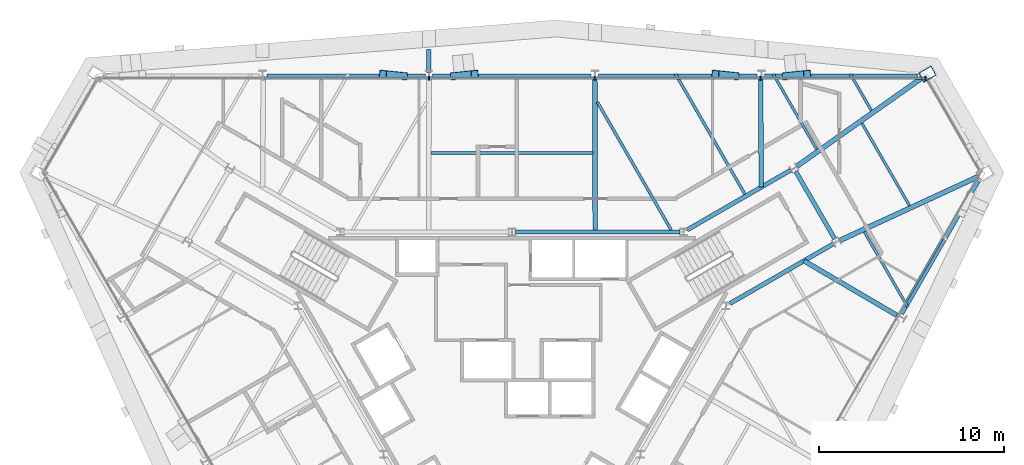
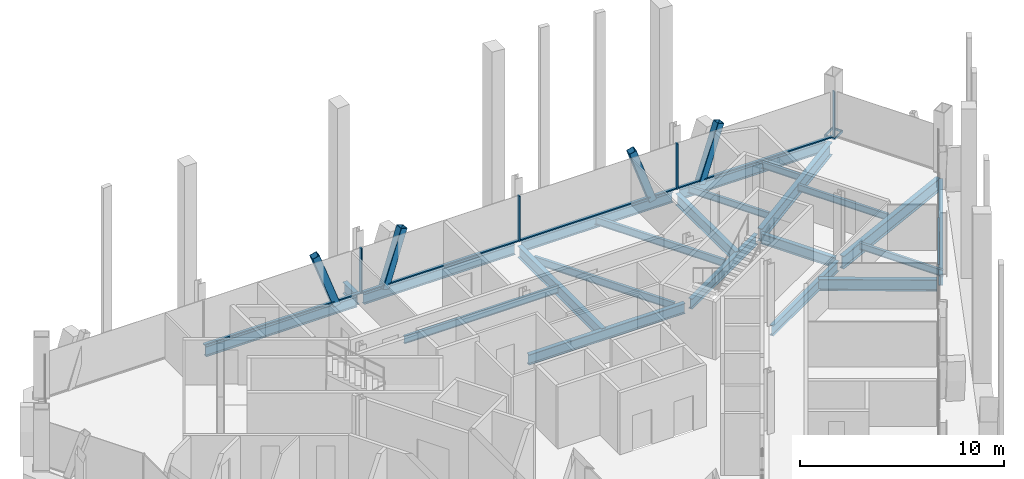
# One storey, part 8 of 16: 22 beams, 14 members, 2 elements without a shape of their own.
"""IFC4 building model written with IfcOpenShell, lengths in metres."""

from ifc_helpers import new_model, si_unit, direction, frame, origin, origin_2d, place, context, subcontext, project, spatial, rectangle, hollow_rectangle, i_section, extrude, material, material_profile, profile_set, type_object, element, aggregate, save


model = new_model("IFC4")

# Units and contexts
model_context = context("Model", 3, precision=1e-05, world=origin(), true_north=direction((0.0, 1.0)))
body_context = subcontext(model_context, "Body", "Model", "MODEL_VIEW")
ifc_project = project(units=[si_unit("LENGTHUNIT", "METRE"), si_unit("AREAUNIT", "SQUARE_METRE"), si_unit("VOLUMEUNIT", "CUBIC_METRE"), si_unit("PLANEANGLEUNIT", "RADIAN"), si_unit("MASSUNIT", "GRAM", prefix="KILO")], contexts=[model_context])

# Site, building, storey
site_placement = place(None, origin())
site = spatial("IfcSite", under=ifc_project, at=site_placement, CompositionType="ELEMENT")
building_placement = place(site_placement, origin())
building = spatial("IfcBuilding", under=site, at=building_placement, Name="Verrane Prism Tower", CompositionType="ELEMENT")
storey_placement = place(building_placement, frame((0.0, 0.0, 236.0)))
storey = spatial("IfcBuildingStorey", under=building, at=storey_placement, Name="L59", CompositionType="ELEMENT", Elevation=236.0)

# Beams
ifc_material_1 = material(Name="Steel A992", Category="steel")
ifc_material_profile_1 = material_profile(ifc_material_1, i_section(OverallWidth=0.23046875, OverallDepth=0.6171875, WebThickness=0.01318359375, FlangeThickness=0.022216796875, FilletRadius=0.012939453125, at=origin_2d()), Name="W24x94")
ifc_profile_set_1 = profile_set([ifc_material_profile_1], Name="Steel A992")
beam_type_1 = type_object("IfcBeamType", Name="Core ring girder W24x94", PredefinedType="BEAM", material=ifc_profile_set_1)
beam_1_placement = place(storey_placement, frame((11.759521484375, 4.135009765625, -0.55859375), z_axis=(0.866080992722, 0.499903704773, 0.0), x_axis=(-0.499903704773, 0.866080992722, 0.0)))
element("IfcBeam", 1, at=beam_1_placement, inside=storey, type_object=beam_type_1, Name="Core ring girder L59", PredefinedType="BEAM", context=body_context, shape_type="SweptSolid", body=[
    extrude(i_section(OverallWidth=0.23046875, OverallDepth=0.6171875, WebThickness=0.01318359375, FlangeThickness=0.022216796875, FilletRadius=0.012939453125, at=origin_2d()), origin(), (0.0, 0.0, 1.0), 6.451904296875),
])
beam_2_placement = place(storey_placement, frame((17.419677734375, 7.6337890625, -0.55859375), z_axis=(-0.500375511519, 0.865808493532, 0.0), x_axis=(-0.865808493532, -0.500375511519, 0.0)))
element("IfcBeam", 2, at=beam_2_placement, inside=storey, type_object=beam_type_1, Name="Core ring girder L59", PredefinedType="BEAM", context=body_context, shape_type="SweptSolid", body=[
    extrude(i_section(OverallWidth=0.23046875, OverallDepth=0.6171875, WebThickness=0.01318359375, FlangeThickness=0.022216796875, FilletRadius=0.012939453125, at=origin_2d()), origin(), (0.0, 0.0, 1.0), 4.195556640625),
])
beam_3_placement = place(storey_placement, frame((15.04736328125, 11.34033203125, -0.55859375), z_axis=(-0.866080992722, -0.499903704773, 0.0), x_axis=(0.499903704773, -0.866080992722, 0.0)))
element("IfcBeam", 3, at=beam_3_placement, inside=storey, type_object=beam_type_1, Name="Core ring girder L59", PredefinedType="BEAM", context=body_context, shape_type="SweptSolid", body=[
    extrude(i_section(OverallWidth=0.23046875, OverallDepth=0.6171875, WebThickness=0.01318359375, FlangeThickness=0.022216796875, FilletRadius=0.012939453125, at=origin_2d()), origin(), (0.0, 0.0, 1.0), 6.451904296875),
])
beam_4_placement = place(storey_placement, frame((9.060546875, 8.0, -0.55859375), z_axis=(-1.0, 0.0, 0.0), x_axis=(0.0, -1.0, 0.0)))
element("IfcBeam", 4, at=beam_4_placement, inside=storey, type_object=beam_type_1, Name="Core ring girder L59", PredefinedType="BEAM", context=body_context, shape_type="SweptSolid", body=[
    extrude(i_section(OverallWidth=0.23046875, OverallDepth=0.6171875, WebThickness=0.01318359375, FlangeThickness=0.022216796875, FilletRadius=0.012939453125, at=origin_2d()), origin(), (0.0, 0.0, 1.0), 8.861083984375),
])
ifc_material_2 = material(Name="Steel A992", Category="steel")
ifc_material_profile_2 = material_profile(ifc_material_2, i_section(OverallWidth=0.2666015625, OverallDepth=0.76708984375, WebThickness=0.014892578125, FlangeThickness=0.023681640625, FilletRadius=0.0166015625, at=origin_2d()), Name="W30x124")
ifc_profile_set_2 = profile_set([ifc_material_profile_2], Name="Steel A992")
beam_type_2 = type_object("IfcBeamType", Name="Corner girder W30x124", PredefinedType="BEAM", material=ifc_profile_set_2)
beam_5_placement = place(storey_placement, frame((25.165283203125, 10.99169921875, -0.603515625), z_axis=(-0.907815050259, -0.419370760215, 0.0), x_axis=(0.419370760215, -0.907815050259, 0.0)))
element("IfcBeam", 5, at=beam_5_placement, inside=storey, type_object=beam_type_2, Name="Corner girder L59", PredefinedType="BEAM", context=body_context, shape_type="SweptSolid", body=[
    extrude(i_section(OverallWidth=0.2666015625, OverallDepth=0.76708984375, WebThickness=0.014892578125, FlangeThickness=0.023681640625, FilletRadius=0.0166015625, at=origin_2d()), origin(), (0.0, 0.0, 1.0), 8.22119140625),
])
beam_6_placement = place(storey_placement, frame((22.101806640625, 16.29833984375, -0.603515625), z_axis=(-0.816932483904, -0.576733315096, 0.0), x_axis=(0.576733315096, -0.816932483904, 0.0)))
element("IfcBeam", 6, at=beam_6_placement, inside=storey, type_object=beam_type_2, Name="Corner girder L59", PredefinedType="BEAM", context=body_context, shape_type="SweptSolid", body=[
    extrude(i_section(OverallWidth=0.2666015625, OverallDepth=0.76708984375, WebThickness=0.014892578125, FlangeThickness=0.023681640625, FilletRadius=0.0166015625, at=origin_2d()), origin(), (0.0, 0.0, 1.0), 8.223876953125),
])

# Members
ifc_material_3 = material(Name="Steel A500 Grade C", Category="steel")
ifc_material_profile_3 = material_profile(ifc_material_3, hollow_rectangle(XDim=0.406494140625, YDim=0.406494140625, WallThickness=0.01904296875, InnerFilletRadius=0.009521484375, OuterFilletRadius=0.028564453125, at=origin_2d()), Name="HSS16x16x3/4")
ifc_profile_set_3 = profile_set([ifc_material_profile_3], Name="Steel A500 Grade C")
member_type_1 = type_object("IfcMemberType", Name="Facade brace HSS16x16x3/4", PredefinedType="BRACE", material=ifc_profile_set_3)
member_1_placement = place(storey_placement, frame((14.788330078125, 16.41455078125, -0.216796875), z_axis=(0.336861259828, 0.03399517301, 0.940940391225), x_axis=(-0.100407435272, 0.994946404055, 0.0)))
element("IfcMember", 7, at=member_1_placement, inside=storey, type_object=member_type_1, Name="Facade brace N0 L59", PredefinedType="BRACE", context=body_context, shape_type="SweptSolid", body=[
    extrude(hollow_rectangle(XDim=0.406494140625, YDim=0.406494140625, WallThickness=0.01904296875, InnerFilletRadius=0.009521484375, OuterFilletRadius=0.028564453125, at=origin_2d()), origin(), (0.0, 0.0, 1.0), 3.39697265625),
])
member_2_placement = place(storey_placement, frame((12.057861328125, 16.41455078125, -0.216796875), z_axis=(-0.31884106825, 0.034220972381, 0.947190212284), x_axis=(-0.106716345878, -0.99428950589, 0.0)))
element("IfcMember", 8, at=member_2_placement, inside=storey, type_object=member_type_1, Name="Facade brace N1 L59", PredefinedType="BRACE", context=body_context, shape_type="SweptSolid", body=[
    extrude(hollow_rectangle(XDim=0.406494140625, YDim=0.406494140625, WallThickness=0.01904296875, InnerFilletRadius=0.009521484375, OuterFilletRadius=0.028564453125, at=origin_2d()), origin(), (0.0, 0.0, 1.0), 3.37451171875),
])
member_3_placement = place(storey_placement, frame((-3.111083984375, 16.41455078125, -0.216796875), z_axis=(0.325253335837, 0.034142216567, 0.945010357919), x_axis=(-0.104397550077, 0.994535646188, 0.0)))
element("IfcMember", 9, at=member_3_placement, inside=storey, type_object=member_type_1, Name="Facade brace N2 L59", PredefinedType="BRACE", context=body_context, shape_type="SweptSolid", body=[
    extrude(hollow_rectangle(XDim=0.406494140625, YDim=0.406494140625, WallThickness=0.01904296875, InnerFilletRadius=0.009521484375, OuterFilletRadius=0.028564453125, at=origin_2d()), origin(), (0.0, 0.0, 1.0), 3.38232421875),
])
member_4_placement = place(storey_placement, frame((-5.8427734375, 16.41455078125, -0.216796875), z_axis=(-0.330979881449, 0.034070399113, 0.94302254797), x_axis=(-0.102396895269, -0.994743623171, 0.0)))
element("IfcMember", 10, at=member_4_placement, inside=storey, type_object=member_type_1, Name="Facade brace N3 L59", PredefinedType="BRACE", context=body_context, shape_type="SweptSolid", body=[
    extrude(hollow_rectangle(XDim=0.406494140625, YDim=0.406494140625, WallThickness=0.01904296875, InnerFilletRadius=0.009521484375, OuterFilletRadius=0.028564453125, at=origin_2d()), origin(), (0.0, 0.0, 1.0), 3.389404296875),
])

# Beams
ifc_material_4 = material(Name="Steel A992", Category="steel")
ifc_material_profile_4 = material_profile(ifc_material_4, i_section(OverallWidth=0.140380859375, OverallDepth=0.40380859375, WebThickness=0.007080078125, FlangeThickness=0.01123046875, FilletRadius=0.01025390625, at=origin_2d()), Name="W16x31")
ifc_profile_set_4 = profile_set([ifc_material_profile_4], Name="Steel A992")
beam_type_3 = type_object("IfcBeamType", Name="Floor beam W16x31", PredefinedType="BEAM", material=ifc_profile_set_4)
beam_7_placement = place(storey_placement, frame((19.4033203125, 14.556640625, -0.36181640625), z_axis=(-0.499941961316, 0.866058909841, 0.0), x_axis=(-0.866058909841, -0.499941961316, 0.0)))
element("IfcBeam", 11, at=beam_7_placement, inside=storey, type_object=beam_type_3, Name="Floor beam L59", PredefinedType="BEAM", context=body_context, shape_type="SweptSolid", body=[
    extrude(i_section(OverallWidth=0.140380859375, OverallDepth=0.40380859375, WebThickness=0.007080078125, FlangeThickness=0.01123046875, FilletRadius=0.01025390625, at=origin_2d()), origin(), (0.0, 0.0, 1.0), 2.278564453125),
])
beam_8_placement = place(storey_placement, frame((16.44384765625, 12.46728515625, -0.36181640625), z_axis=(-0.499973230497, 0.866040858613, 0.0), x_axis=(-0.866040858613, -0.499973230497, 0.0)))
element("IfcBeam", 12, at=beam_8_placement, inside=storey, type_object=beam_type_3, Name="Floor beam L59", PredefinedType="BEAM", context=body_context, shape_type="SweptSolid", body=[
    extrude(i_section(OverallWidth=0.140380859375, OverallDepth=0.40380859375, WebThickness=0.007080078125, FlangeThickness=0.01123046875, FilletRadius=0.01025390625, at=origin_2d()), origin(), (0.0, 0.0, 1.0), 4.691162109375),
])
beam_9_placement = place(storey_placement, frame((21.367919921875, 3.941162109375, -0.36181640625), z_axis=(-0.500043612151, 0.866000222833, 0.0), x_axis=(-0.866000222833, -0.500043612151, 0.0)))
element("IfcBeam", 13, at=beam_9_placement, inside=storey, type_object=beam_type_3, Name="Floor beam L59", PredefinedType="BEAM", context=body_context, shape_type="SweptSolid", body=[
    extrude(i_section(OverallWidth=0.140380859375, OverallDepth=0.40380859375, WebThickness=0.007080078125, FlangeThickness=0.01123046875, FilletRadius=0.01025390625, at=origin_2d()), origin(), (0.0, 0.0, 1.0), 4.69384765625),
])
beam_10_placement = place(storey_placement, frame((21.457275390625, 9.42578125, -0.36181640625), z_axis=(-0.499992949462, 0.866029474376, 0.0), x_axis=(-0.866029474376, -0.499992949462, 0.0)))
element("IfcBeam", 14, at=beam_10_placement, inside=storey, type_object=beam_type_3, Name="Floor beam L59", PredefinedType="BEAM", context=body_context, shape_type="SweptSolid", body=[
    extrude(i_section(OverallWidth=0.140380859375, OverallDepth=0.40380859375, WebThickness=0.007080078125, FlangeThickness=0.01123046875, FilletRadius=0.01025390625, at=origin_2d()), origin(), (0.0, 0.0, 1.0), 5.13037109375),
])
ifc_material_5 = material(Name="Steel A992", Category="steel")
ifc_material_profile_5 = material_profile(ifc_material_5, i_section(OverallWidth=0.15234375, OverallDepth=0.449462890625, WebThickness=0.007568359375, FlangeThickness=0.0107421875, FilletRadius=0.01025390625, at=origin_2d()), Name="W18x35")
ifc_profile_set_5 = profile_set([ifc_material_profile_5], Name="Steel A992")
beam_type_4 = type_object("IfcBeamType", Name="Floor beam W18x35", PredefinedType="BEAM", material=ifc_profile_set_5)
beam_11_placement = place(storey_placement, frame((12.57421875, 10.042236328125, -0.384765625), z_axis=(-0.500012072847, 0.866018433411, 0.0), x_axis=(-0.866018433411, -0.500012072847, 0.0)))
element("IfcBeam", 15, at=beam_11_placement, inside=storey, type_object=beam_type_4, Name="Floor beam L59", PredefinedType="BEAM", context=body_context, shape_type="SweptSolid", body=[
    extrude(i_section(OverallWidth=0.15234375, OverallDepth=0.449462890625, WebThickness=0.007568359375, FlangeThickness=0.0107421875, FilletRadius=0.01025390625, at=origin_2d()), origin(), (0.0, 0.0, 1.0), 7.491455078125),
])
beam_12_placement = place(storey_placement, frame((8.59326171875, 8.114990234375, -0.384765625), z_axis=(-0.500002385648, 0.866024026425, 0.0), x_axis=(-0.866024026425, -0.500002385648, 0.0)))
element("IfcBeam", 16, at=beam_12_placement, inside=storey, type_object=beam_type_4, Name="Floor beam L59", PredefinedType="BEAM", context=body_context, shape_type="SweptSolid", body=[
    extrude(i_section(OverallWidth=0.15234375, OverallDepth=0.449462890625, WebThickness=0.007568359375, FlangeThickness=0.0107421875, FilletRadius=0.01025390625, at=origin_2d()), origin(), (0.0, 0.0, 1.0), 7.9521484375),
])
beam_13_placement = place(storey_placement, frame((-4.363037109375, 12.264892578125, -0.384765625), z_axis=(1.0, 0.0, 0.0), x_axis=(0.0, 1.0, 0.0)))
element("IfcBeam", 17, at=beam_13_placement, inside=storey, type_object=beam_type_4, Name="Floor beam L59", PredefinedType="BEAM", context=body_context, shape_type="SweptSolid", body=[
    extrude(i_section(OverallWidth=0.15234375, OverallDepth=0.449462890625, WebThickness=0.007568359375, FlangeThickness=0.0107421875, FilletRadius=0.01025390625, at=origin_2d()), origin(), (0.0, 0.0, 1.0), 8.72607421875),
])

# Member
ifc_material_6 = material(Name="Steel A572 Grade 50", Category="steel")
ifc_material_profile_6 = material_profile(ifc_material_6, hollow_rectangle(XDim=0.60009765625, YDim=0.800048828125, WallThickness=0.050048828125, at=origin_2d()), Name="BOX 800x600x50")
ifc_profile_set_6 = profile_set([ifc_material_profile_6], Name="Steel A572 Grade 50")
member_type_2 = type_object("IfcMemberType", Name="Kink node BOX 800x600x50", PredefinedType="COLLAR", material=ifc_profile_set_6)
member_5_placement = place(storey_placement, frame((22.426513671875, 16.52392578125, -0.06494140625), z_axis=(0.0, 0.0, 1.0), x_axis=(0.5, -0.866025403784, 0.0)))
element("IfcMember", 18, at=member_5_placement, inside=storey, type_object=member_type_2, Name="Kink node MC4 L59", PredefinedType="COLLAR", context=body_context, shape_type="SweptSolid", body=[
    extrude(hollow_rectangle(XDim=0.60009765625, YDim=0.800048828125, WallThickness=0.050048828125, at=origin_2d()), origin(), (0.0, 0.0, 1.0), 0.1298828125),
])

# Curtain wall, members
ifc_material_7 = material(Name="Aluminium framed insulated glazing", Category="aluminium")
curtain_wall_type_1 = type_object("IfcCurtainWallType", Name="Curtain wall CW-A 8400 module", PredefinedType="NOTDEFINED", material=ifc_material_7)
curtain_wall_1_placement = place(storey_placement, origin())
curtain_wall_1 = element("IfcCurtainWall", 19, at=curtain_wall_1_placement, inside=storey, type_object=curtain_wall_type_1, Name="Glazed curtain wall north face L59", PredefinedType="NOTDEFINED")
ifc_material_8 = material(Name="Aluminium alloy 6063-T6", Category="aluminium")
ifc_material_profile_7 = material_profile(ifc_material_8, rectangle(XDim=0.199951171875, YDim=0.070068359375, at=origin_2d()), Name="Mullion 70x200 aluminium")
ifc_profile_set_7 = profile_set([ifc_material_profile_7], Name="Aluminium alloy 6063-T6")
member_type_3 = type_object("IfcMemberType", Name="Mullion 70x200 aluminium", PredefinedType="MULLION", material=ifc_profile_set_7)
member_6_placement = place(storey_placement, frame((22.32470703125, 16.3017578125, 0.0), z_axis=(0.0, 0.0, 1.0), x_axis=(0.0, -1.0, 0.0)))
member_6 = element("IfcMember", 20, at=member_6_placement, type_object=member_type_3, Name="CW59.2 mullion 1", PredefinedType="MULLION", context=body_context, shape_type="SweptSolid", body=[
    extrude(rectangle(XDim=0.199951171875, YDim=0.070068359375, at=origin_2d()), origin(), (0.0, 0.0, 1.0), 2.712890625),
])
member_7_placement = place(storey_placement, frame((13.415771484375, 16.3017578125, 0.0), z_axis=(0.0, 0.0, 1.0), x_axis=(0.0, -1.0, 0.0)))
member_7 = element("IfcMember", 21, at=member_7_placement, type_object=member_type_3, Name="CW59.2 mullion 2", PredefinedType="MULLION", context=body_context, shape_type="SweptSolid", body=[
    extrude(rectangle(XDim=0.199951171875, YDim=0.070068359375, at=origin_2d()), origin(), (0.0, 0.0, 1.0), 2.712890625),
])
member_8_placement = place(storey_placement, frame((4.471923828125, 16.3017578125, 0.0), z_axis=(0.0, 0.0, 1.0), x_axis=(0.0, -1.0, 0.0)))
member_8 = element("IfcMember", 22, at=member_8_placement, type_object=member_type_3, Name="CW59.2 mullion 3", PredefinedType="MULLION", context=body_context, shape_type="SweptSolid", body=[
    extrude(rectangle(XDim=0.199951171875, YDim=0.070068359375, at=origin_2d()), origin(), (0.0, 0.0, 1.0), 2.712890625),
])
member_9_placement = place(storey_placement, frame((-4.471923828125, 16.3017578125, 0.0), z_axis=(0.0, 0.0, 1.0), x_axis=(0.0, -1.0, 0.0)))
member_9 = element("IfcMember", 23, at=member_9_placement, type_object=member_type_3, Name="CW59.2 mullion 4", PredefinedType="MULLION", context=body_context, shape_type="SweptSolid", body=[
    extrude(rectangle(XDim=0.199951171875, YDim=0.070068359375, at=origin_2d()), origin(), (0.0, 0.0, 1.0), 2.712890625),
])

# Beams
ifc_material_9 = material(Name="Steel A992", Category="steel")
ifc_material_profile_8 = material_profile(ifc_material_9, i_section(OverallWidth=0.25390625, OverallDepth=0.683349609375, WebThickness=0.012451171875, FlangeThickness=0.01904296875, FilletRadius=0.01513671875, at=origin_2d()), Name="W27x94")
ifc_profile_set_8 = profile_set([ifc_material_profile_8], Name="Steel A992")
beam_type_5 = type_object("IfcBeamType", Name="Radial girder W27x94", PredefinedType="BEAM", material=ifc_profile_set_8)
beam_14_placement = place(storey_placement, frame((13.421630859375, 16.2216796875, -0.5615234375), z_axis=(0.00661149535, -0.999978143826, 0.0), x_axis=(0.999978143826, 0.00661149535, 0.0)))
element("IfcBeam", 24, at=beam_14_placement, inside=storey, type_object=beam_type_5, Name="Radial girder L59", PredefinedType="BEAM", context=body_context, shape_type="SweptSolid", body=[
    extrude(i_section(OverallWidth=0.25390625, OverallDepth=0.683349609375, WebThickness=0.012451171875, FlangeThickness=0.01904296875, FilletRadius=0.01513671875, at=origin_2d()), origin(), (0.0, 0.0, 1.0), 5.797607421875),
])
beam_15_placement = place(storey_placement, frame((4.47705078125, 16.2216796875, -0.5615234375), z_axis=(0.00157381917, -0.999998761546, 0.0), x_axis=(0.999998761546, 0.00157381917, 0.0)))
element("IfcBeam", 25, at=beam_15_placement, inside=storey, type_object=beam_type_5, Name="Radial girder L59", PredefinedType="BEAM", context=body_context, shape_type="SweptSolid", body=[
    extrude(i_section(OverallWidth=0.25390625, OverallDepth=0.683349609375, WebThickness=0.012451171875, FlangeThickness=0.01904296875, FilletRadius=0.01513671875, at=origin_2d()), origin(), (0.0, 0.0, 1.0), 8.2216796875),
])
beam_16_placement = place(storey_placement, frame((20.76318359375, 3.5107421875, -0.5615234375), z_axis=(-0.862663770161, 0.50577783626, 0.0), x_axis=(-0.50577783626, -0.862663770161, 0.0)))
element("IfcBeam", 26, at=beam_16_placement, inside=storey, type_object=beam_type_5, Name="Radial girder L59", PredefinedType="BEAM", context=body_context, shape_type="SweptSolid", body=[
    extrude(i_section(OverallWidth=0.25390625, OverallDepth=0.683349609375, WebThickness=0.012451171875, FlangeThickness=0.01904296875, FilletRadius=0.01513671875, at=origin_2d()), origin(), (0.0, 0.0, 1.0), 5.799560546875),
])
beam_17_placement = place(storey_placement, frame((-4.489990234375, 16.603515625, -0.5615234375), z_axis=(0.0, 1.0, 0.0), x_axis=(-1.0, 0.0, 0.0)))
element("IfcBeam", 27, at=beam_17_placement, inside=storey, type_object=beam_type_5, Name="Cantilever girder L59", PredefinedType="BEAM", context=body_context, shape_type="SweptSolid", body=[
    extrude(i_section(OverallWidth=0.25390625, OverallDepth=0.683349609375, WebThickness=0.012451171875, FlangeThickness=0.01904296875, FilletRadius=0.01513671875, at=origin_2d()), origin(), (0.0, 0.0, 1.0), 1.23681640625),
])
ifc_material_10 = material(Name="Steel A992", Category="steel")
ifc_material_profile_9 = material_profile(ifc_material_10, i_section(OverallWidth=0.23046875, OverallDepth=0.6171875, WebThickness=0.01318359375, FlangeThickness=0.022216796875, FilletRadius=0.012939453125, at=origin_2d()), Name="W24x94")
ifc_profile_set_9 = profile_set([ifc_material_profile_9], Name="Steel A992")
beam_type_6 = type_object("IfcBeamType", Name="Spandrel beam W24x94", PredefinedType="SPANDREL", material=ifc_profile_set_9)
beam_18_placement = place(storey_placement, frame((21.902099609375, 16.41455078125, -0.468505859375), z_axis=(-1.0, 0.0, 0.0), x_axis=(0.0, -1.0, 0.0)))
element("IfcBeam", 28, at=beam_18_placement, inside=storey, type_object=beam_type_6, Name="Spandrel beam L59", PredefinedType="SPANDREL", context=body_context, shape_type="SweptSolid", body=[
    extrude(i_section(OverallWidth=0.23046875, OverallDepth=0.6171875, WebThickness=0.01318359375, FlangeThickness=0.022216796875, FilletRadius=0.012939453125, at=origin_2d()), origin(), (0.0, 0.0, 1.0), 8.2822265625),
])
beam_19_placement = place(storey_placement, frame((13.220947265625, 16.41455078125, -0.468505859375), z_axis=(-1.0, 0.0, 0.0), x_axis=(0.0, -1.0, 0.0)))
element("IfcBeam", 29, at=beam_19_placement, inside=storey, type_object=beam_type_6, Name="Spandrel beam L59", PredefinedType="SPANDREL", context=body_context, shape_type="SweptSolid", body=[
    extrude(i_section(OverallWidth=0.23046875, OverallDepth=0.6171875, WebThickness=0.01318359375, FlangeThickness=0.022216796875, FilletRadius=0.012939453125, at=origin_2d()), origin(), (0.0, 0.0, 1.0), 8.544677734375),
])
beam_20_placement = place(storey_placement, frame((4.27734375, 16.41455078125, -0.468505859375), z_axis=(-1.0, 0.0, 0.0), x_axis=(0.0, -1.0, 0.0)))
element("IfcBeam", 30, at=beam_20_placement, inside=storey, type_object=beam_type_6, Name="Spandrel beam L59", PredefinedType="SPANDREL", context=body_context, shape_type="SweptSolid", body=[
    extrude(i_section(OverallWidth=0.23046875, OverallDepth=0.6171875, WebThickness=0.01318359375, FlangeThickness=0.022216796875, FilletRadius=0.012939453125, at=origin_2d()), origin(), (0.0, 0.0, 1.0), 8.5546875),
])
beam_21_placement = place(storey_placement, frame((-4.67626953125, 16.41455078125, -0.468505859375), z_axis=(-1.0, 0.0, 0.0), x_axis=(0.0, -1.0, 0.0)))
element("IfcBeam", 31, at=beam_21_placement, inside=storey, type_object=beam_type_6, Name="Spandrel beam L59", PredefinedType="SPANDREL", context=body_context, shape_type="SweptSolid", body=[
    extrude(i_section(OverallWidth=0.23046875, OverallDepth=0.6171875, WebThickness=0.01318359375, FlangeThickness=0.022216796875, FilletRadius=0.012939453125, at=origin_2d()), origin(), (0.0, 0.0, 1.0), 8.544677734375),
])
beam_22_placement = place(storey_placement, frame((21.029296875, 3.585693359375, -0.468505859375), z_axis=(0.499503797295, 0.866311697074, 0.0), x_axis=(-0.866311697074, 0.499503797295, 0.0)))
element("IfcBeam", 32, at=beam_22_placement, inside=storey, type_object=beam_type_6, Name="Spandrel beam L59", PredefinedType="SPANDREL", context=body_context, shape_type="SweptSolid", body=[
    extrude(i_section(OverallWidth=0.23046875, OverallDepth=0.6171875, WebThickness=0.01318359375, FlangeThickness=0.022216796875, FilletRadius=0.012939453125, at=origin_2d()), origin(), (0.0, 0.0, 1.0), 8.28125),
])

# Curtain wall, member
ifc_material_11 = material(Name="Aluminium framed insulated glazing", Category="aluminium")
curtain_wall_type_2 = type_object("IfcCurtainWallType", Name="Curtain wall CW-C 4200 module", PredefinedType="NOTDEFINED", material=ifc_material_11)
curtain_wall_2_placement = place(storey_placement, origin())
curtain_wall_2 = element("IfcCurtainWall", 33, at=curtain_wall_2_placement, inside=storey, type_object=curtain_wall_type_2, Name="Glazed curtain wall south-east face L59", PredefinedType="NOTDEFINED")
ifc_material_12 = material(Name="Aluminium alloy 6063-T6", Category="aluminium")
ifc_material_profile_10 = material_profile(ifc_material_12, rectangle(XDim=0.10009765625, YDim=0.050048828125, at=origin_2d()), Name="Transom 50x100 aluminium")
ifc_profile_set_10 = profile_set([ifc_material_profile_10], Name="Aluminium alloy 6063-T6")
member_type_4 = type_object("IfcMemberType", Name="Transom 50x100 aluminium", PredefinedType="USERDEFINED", material=ifc_profile_set_10)
member_10_placement = place(storey_placement, frame((21.24462890625, 4.193359375, 0.02490234375), z_axis=(0.500010157896, 0.866019539041, 0.0), x_axis=(-0.866019539041, 0.500010157896, 0.0)))
member_10 = element("IfcMember", 34, at=member_10_placement, type_object=member_type_4, Name="CW59.6 transom 10", ObjectType="TRANSOM", PredefinedType="USERDEFINED", context=body_context, shape_type="SweptSolid", body=[
    extrude(rectangle(XDim=0.10009765625, YDim=0.050048828125, at=origin_2d()), origin(), (0.0, 0.0, 1.0), 4.015625),
])
aggregate(curtain_wall_2, [member_10])

# Member
ifc_material_13 = material(Name="Aluminium alloy 6063-T6", Category="aluminium")
ifc_material_profile_11 = material_profile(ifc_material_13, rectangle(XDim=0.14990234375, YDim=0.070068359375, at=origin_2d()), Name="Transom 70x150 aluminium")
ifc_profile_set_11 = profile_set([ifc_material_profile_11], Name="Aluminium alloy 6063-T6")
member_type_5 = type_object("IfcMemberType", Name="Transom 70x150 aluminium", PredefinedType="USERDEFINED", material=ifc_profile_set_11)
member_11_placement = place(storey_placement, frame((22.289794921875, 16.3017578125, 0.034912109375), z_axis=(-1.0, 0.0, 0.0), x_axis=(0.0, -1.0, 0.0)))
member_11 = element("IfcMember", 35, at=member_11_placement, type_object=member_type_5, Name="CW59.2 transom 1", ObjectType="TRANSOM", PredefinedType="USERDEFINED", context=body_context, shape_type="SweptSolid", body=[
    extrude(rectangle(XDim=0.14990234375, YDim=0.070068359375, at=origin_2d()), origin(), (0.0, 0.0, 1.0), 8.8388671875),
])

member_12_placement = place(storey_placement, frame((13.380859375, 16.3017578125, 0.034912109375), z_axis=(-1.0, 0.0, 0.0), x_axis=(0.0, -1.0, 0.0)))
member_12 = element("IfcMember", 36, at=member_12_placement, type_object=member_type_5, Name="CW59.2 transom 2", ObjectType="TRANSOM", PredefinedType="USERDEFINED", context=body_context, shape_type="SweptSolid", body=[
    extrude(rectangle(XDim=0.14990234375, YDim=0.070068359375, at=origin_2d()), origin(), (0.0, 0.0, 1.0), 8.8740234375),
])

member_13_placement = place(storey_placement, frame((4.43701171875, 16.3017578125, 0.034912109375), z_axis=(-1.0, 0.0, 0.0), x_axis=(0.0, -1.0, 0.0)))
member_13 = element("IfcMember", 37, at=member_13_placement, type_object=member_type_5, Name="CW59.2 transom 3", ObjectType="TRANSOM", PredefinedType="USERDEFINED", context=body_context, shape_type="SweptSolid", body=[
    extrude(rectangle(XDim=0.14990234375, YDim=0.070068359375, at=origin_2d()), origin(), (0.0, 0.0, 1.0), 8.8740234375),
])

member_14_placement = place(storey_placement, frame((-4.5068359375, 16.3017578125, 0.034912109375), z_axis=(-1.0, 0.0, 0.0), x_axis=(0.0, -1.0, 0.0)))
member_14 = element("IfcMember", 38, at=member_14_placement, type_object=member_type_5, Name="CW59.2 transom 4", ObjectType="TRANSOM", PredefinedType="USERDEFINED", context=body_context, shape_type="SweptSolid", body=[
    extrude(rectangle(XDim=0.14990234375, YDim=0.070068359375, at=origin_2d()), origin(), (0.0, 0.0, 1.0), 8.8740234375),
])

aggregate(curtain_wall_1, [member_6, member_7, member_8, member_9, member_11, member_12, member_13, member_14])

save(model, "model.ifc")
